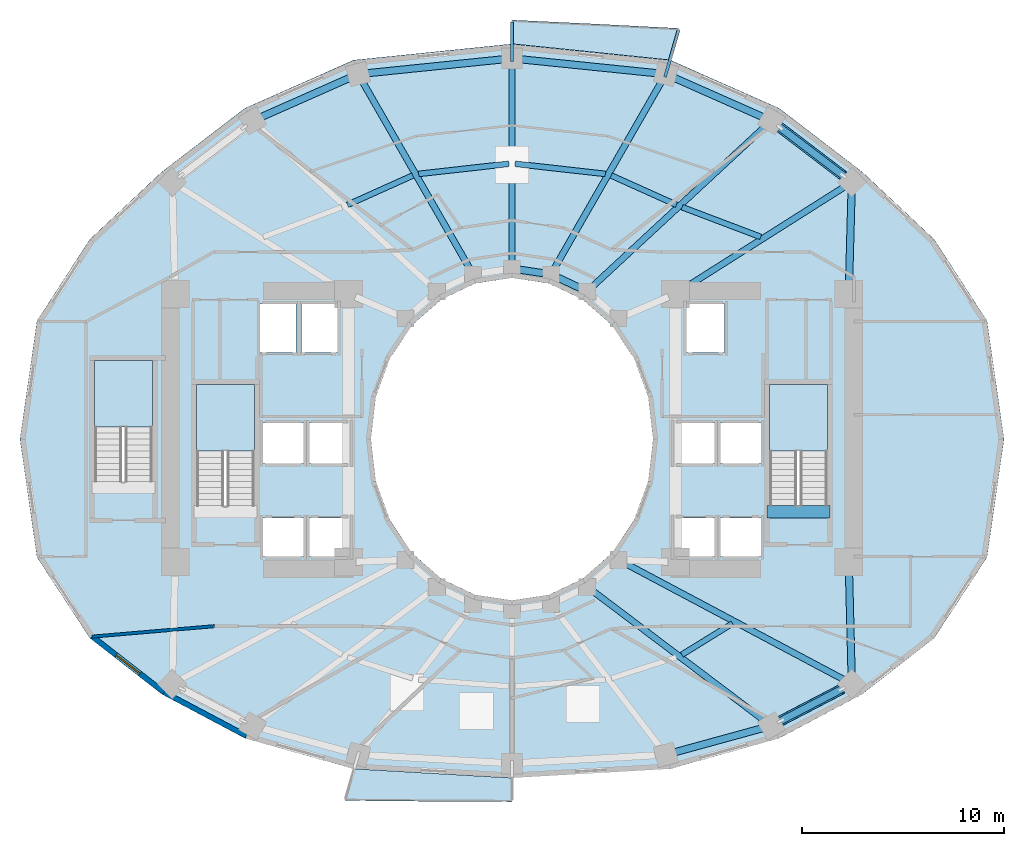
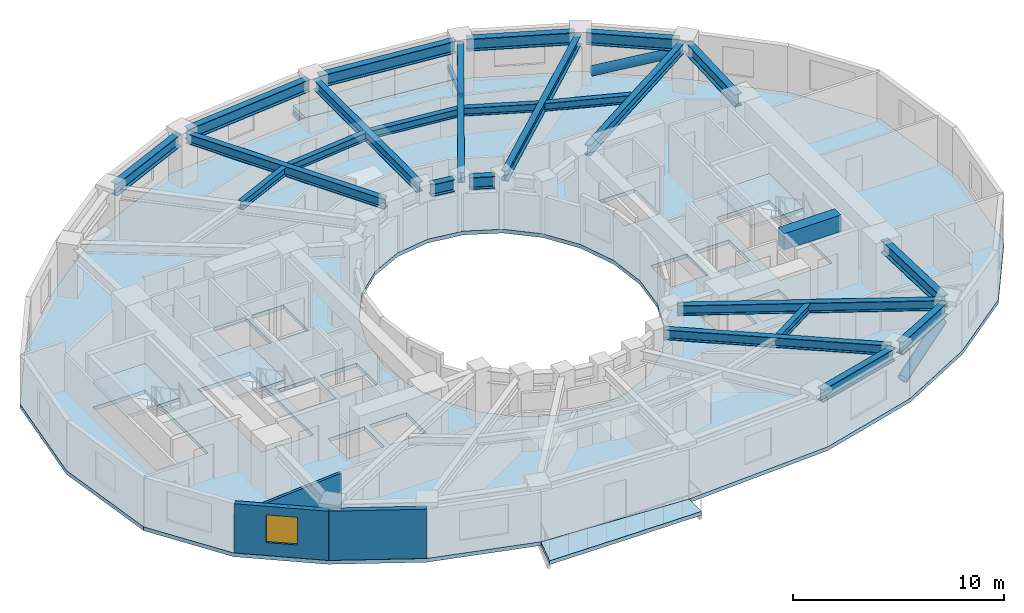
# One storey, part 2 of 9: 27 beams, 6 slabs, 3 walls, 2 members, 1 window, 1 opening, 3 elements without a shape of their own.
"""IFC4 building model written with IfcOpenShell, lengths in metres."""

from ifc_helpers import new_model, si_unit, direction, frame, frame_2d, origin, origin_2d, place, context, subcontext, project, spatial, polyline, rectangle, hollow_rectangle, hollow_circle, i_section, outline, extrude, material, layer, layer_set, material_profile, profile_set, type_object, element, fill, aggregate, save


model = new_model("IFC4")

# Units and contexts
model_context = context("Model", 3, precision=1e-05, world=origin(), true_north=direction((0.0, 1.0)))
body_context = subcontext(model_context, "Body", "Model", "MODEL_VIEW")
ifc_project = project(units=[si_unit("LENGTHUNIT", "METRE"), si_unit("AREAUNIT", "SQUARE_METRE"), si_unit("VOLUMEUNIT", "CUBIC_METRE"), si_unit("PLANEANGLEUNIT", "RADIAN"), si_unit("MASSUNIT", "GRAM", prefix="KILO")], contexts=[model_context])

# Site, building, storey
site_placement = place(None, origin())
site = spatial("IfcSite", under=ifc_project, at=site_placement, CompositionType="ELEMENT")
building_placement = place(site_placement, origin())
building = spatial("IfcBuilding", under=site, at=building_placement, Name="Solvane Sanctuary Tower", CompositionType="ELEMENT")
storey_placement = place(building_placement, frame((0.0, 0.0, 79.39990234375)))
storey = spatial("IfcBuildingStorey", under=building, at=storey_placement, Name="L23", CompositionType="ELEMENT", Elevation=79.39990234375)

# Beams
ifc_material_1 = material(Name="Steel ASTM A500 Grade C", Category="steel")
ifc_material_profile_1 = material_profile(ifc_material_1, hollow_rectangle(XDim=0.14990234375, YDim=0.300048828125, WallThickness=0.010009765625, at=origin_2d()), Name="HSS300X150X10")
ifc_profile_set_1 = profile_set([ifc_material_profile_1], Name="Steel ASTM A500 Grade C")
beam_type_1 = type_object("IfcBeamType", Name="Beam B-BALC-BRK HSS300X150X10", PredefinedType="BEAM", material=ifc_profile_set_1)
beam_1_placement = place(storey_placement, frame((39.587890625, 40.955810546875, -0.371826171875), z_axis=(0.276776573978, 0.960934299574, 0.0), x_axis=(-0.960934299574, 0.276776573978, 0.0)))
element("IfcBeam", 1, at=beam_1_placement, inside=storey, type_object=beam_type_1, Name="L23 Balcony Bracket NC-1", PredefinedType="BEAM", context=body_context, shape_type="SweptSolid", body=[
    extrude(hollow_rectangle(XDim=0.14990234375, YDim=0.300048828125, WallThickness=0.010009765625, at=origin_2d()), origin(), (0.0, 0.0, 1.0), 2.4150390625),
])
beam_2_placement = place(storey_placement, frame((32.0, 41.72998046875, -0.371826171875), z_axis=(0.0, 1.0, 0.0), x_axis=(-1.0, 0.0, 0.0)))
element("IfcBeam", 2, at=beam_2_placement, inside=storey, type_object=beam_type_1, Name="L23 Balcony Bracket NC-2", PredefinedType="BEAM", context=body_context, shape_type="SweptSolid", body=[
    extrude(hollow_rectangle(XDim=0.14990234375, YDim=0.300048828125, WallThickness=0.010009765625, at=origin_2d()), origin(), (0.0, 0.0, 1.0), 1.95556640625),
])
ifc_material_2 = material(Name="Concrete C70/85", Category="concrete")
ifc_material_profile_2 = material_profile(ifc_material_2, rectangle(XDim=0.60009765625, YDim=0.949951171875, at=origin_2d()), Name="RC600X950")
ifc_profile_set_2 = profile_set([ifc_material_profile_2], Name="Concrete C70/85")
beam_type_2 = type_object("IfcBeamType", Name="Beam B-COUPLE RC600X950", PredefinedType="LINTEL", material=ifc_profile_set_2)
beam_3_placement = place(storey_placement, frame((44.64990234375, 19.399169921875, 2.625), z_axis=(1.0, 0.0, 0.0), x_axis=(0.0, 1.0, 0.0)))
element("IfcBeam", 3, at=beam_3_placement, inside=storey, type_object=beam_type_2, Name="L23 ST-2 Stair Floor Landing Trimmer", PredefinedType="LINTEL", context=body_context, shape_type="SweptSolid", body=[
    extrude(rectangle(XDim=0.60009765625, YDim=0.949951171875, at=origin_2d()), origin(), (0.0, 0.0, 1.0), 3.1201171875),
])
ifc_material_3 = material(Name="Steel ASTM A992 Grade 50", Category="steel")
ifc_material_profile_3 = material_profile(ifc_material_3, i_section(OverallWidth=0.31494140625, OverallDepth=0.575927734375, WebThickness=0.01513671875, FlangeThickness=0.0244140625, FilletRadius=0.014892578125, at=origin_2d()), Name="W21X122")
ifc_profile_set_3 = profile_set([ifc_material_profile_3], Name="Steel ASTM A992 Grade 50")
beam_type_3 = type_object("IfcBeamType", Name="Beam B-RAD-Z2 W21X122", PredefinedType="BEAM", material=ifc_profile_set_3)
beam_4_placement = place(storey_placement, frame((40.404052734375, 30.392578125, 2.590087890625), z_axis=(0.844853889678, 0.534997107558, 0.0), x_axis=(-0.534997107558, 0.844853889678, 0.0)))
element("IfcBeam", 4, at=beam_4_placement, inside=storey, type_object=beam_type_3, Name="L23 Radial Composite Floor Beam 01", PredefinedType="BEAM", context=body_context, shape_type="SweptSolid", body=[
    extrude(i_section(OverallWidth=0.31494140625, OverallDepth=0.575927734375, WebThickness=0.01513671875, FlangeThickness=0.0244140625, FilletRadius=0.014892578125, at=origin_2d()), origin(), (0.0, 0.0, 1.0), 9.720458984375),
])
beam_5_placement = place(storey_placement, frame((35.935302734375, 30.516845703125, 2.590087890625), z_axis=(0.733453775248, 0.679739332078, 0.0), x_axis=(-0.679739332078, 0.733453775248, 0.0)))
element("IfcBeam", 5, at=beam_5_placement, inside=storey, type_object=beam_type_3, Name="L23 Radial Composite Floor Beam 02", PredefinedType="BEAM", context=body_context, shape_type="SweptSolid", body=[
    extrude(i_section(OverallWidth=0.31494140625, OverallDepth=0.575927734375, WebThickness=0.01513671875, FlangeThickness=0.0244140625, FilletRadius=0.014892578125, at=origin_2d()), origin(), (0.0, 0.0, 1.0), 11.885498046875),
])
beam_6_placement = place(storey_placement, frame((34.0703125, 31.41455078125, 2.590087890625), z_axis=(0.497792245326, 0.8672963049, 0.0), x_axis=(-0.8672963049, 0.497792245326, 0.0)))
element("IfcBeam", 6, at=beam_6_placement, inside=storey, type_object=beam_type_3, Name="L23 Radial Composite Floor Beam 03", PredefinedType="BEAM", context=body_context, shape_type="SweptSolid", body=[
    extrude(i_section(OverallWidth=0.31494140625, OverallDepth=0.575927734375, WebThickness=0.01513671875, FlangeThickness=0.0244140625, FilletRadius=0.014892578125, at=origin_2d()), origin(), (0.0, 0.0, 1.0), 10.887451171875),
])
beam_7_placement = place(storey_placement, frame((32.0, 31.739990234375, 2.590087890625), z_axis=(0.0, 1.0, 0.0), x_axis=(-1.0, 0.0, 0.0)))
element("IfcBeam", 7, at=beam_7_placement, inside=storey, type_object=beam_type_3, Name="L23 Radial Composite Floor Beam 04", PredefinedType="BEAM", context=body_context, shape_type="SweptSolid", body=[
    extrude(i_section(OverallWidth=0.31494140625, OverallDepth=0.575927734375, WebThickness=0.01513671875, FlangeThickness=0.0244140625, FilletRadius=0.014892578125, at=origin_2d()), origin(), (0.0, 0.0, 1.0), 9.860107421875),
])
beam_8_placement = place(storey_placement, frame((29.9296875, 31.41455078125, 2.590087890625), z_axis=(-0.497792245326, 0.8672963049, 0.0), x_axis=(-0.8672963049, -0.497792245326, 0.0)))
element("IfcBeam", 8, at=beam_8_placement, inside=storey, type_object=beam_type_3, Name="L23 Radial Composite Floor Beam 05", PredefinedType="BEAM", context=body_context, shape_type="SweptSolid", body=[
    extrude(i_section(OverallWidth=0.31494140625, OverallDepth=0.575927734375, WebThickness=0.01513671875, FlangeThickness=0.0244140625, FilletRadius=0.014892578125, at=origin_2d()), origin(), (0.0, 0.0, 1.0), 10.887451171875),
])
beam_9_placement = place(storey_placement, frame((35.95361328125, 15.504638671875, 2.590087890625), z_axis=(0.798116040134, -0.602503764703, 0.0), x_axis=(0.602503764703, 0.798116040134, 0.0)))
element("IfcBeam", 9, at=beam_9_placement, inside=storey, type_object=beam_type_3, Name="L23 Radial Composite Floor Beam 13", PredefinedType="BEAM", context=body_context, shape_type="SweptSolid", body=[
    extrude(i_section(OverallWidth=0.31494140625, OverallDepth=0.575927734375, WebThickness=0.01513671875, FlangeThickness=0.0244140625, FilletRadius=0.014892578125, at=origin_2d()), origin(), (0.0, 0.0, 1.0), 10.876953125),
])
beam_10_placement = place(storey_placement, frame((37.522216796875, 16.886474609375, 2.590087890625), z_axis=(0.882951984843, -0.469463302572, 0.0), x_axis=(0.469463302572, 0.882951984843, 0.0)))
element("IfcBeam", 10, at=beam_10_placement, inside=storey, type_object=beam_type_3, Name="L23 Radial Composite Floor Beam 14", PredefinedType="BEAM", context=body_context, shape_type="SweptSolid", body=[
    extrude(i_section(OverallWidth=0.31494140625, OverallDepth=0.575927734375, WebThickness=0.01513671875, FlangeThickness=0.0244140625, FilletRadius=0.014892578125, at=origin_2d()), origin(), (0.0, 0.0, 1.0), 12.552734375),
])
ifc_material_profile_4 = material_profile(ifc_material_3, i_section(OverallWidth=0.35498046875, OverallDepth=0.695068359375, WebThickness=0.015380859375, FlangeThickness=0.02490234375, FilletRadius=0.01806640625, at=origin_2d()), Name="W27X146")
ifc_profile_set_4 = profile_set([ifc_material_profile_4], Name="Steel ASTM A992 Grade 50")
beam_type_4 = type_object("IfcBeamType", Name="Beam B-RING-IN1 W27X146", PredefinedType="BEAM", material=ifc_profile_set_4)
beam_11_placement = place(storey_placement, frame((32.390625, 31.401611328125, 2.530517578125), z_axis=(0.989034751611, -0.147682971619, 0.0), x_axis=(0.147682971619, 0.989034751611, 0.0)))
element("IfcBeam", 11, at=beam_11_placement, inside=storey, type_object=beam_type_4, Name="L23 Inner Light-Well Ring Beam IC04-IC03", PredefinedType="BEAM", context=body_context, shape_type="SweptSolid", body=[
    extrude(i_section(OverallWidth=0.35498046875, OverallDepth=0.695068359375, WebThickness=0.015380859375, FlangeThickness=0.02490234375, FilletRadius=0.01806640625, at=origin_2d()), origin(), (0.0, 0.0, 1.0), 1.162109375),
])
beam_12_placement = place(storey_placement, frame((34.288330078125, 31.00390625, 2.530517578125), z_axis=(0.905044882818, -0.425316070804, 0.0), x_axis=(0.425316070804, 0.905044882818, 0.0)))
element("IfcBeam", 12, at=beam_12_placement, inside=storey, type_object=beam_type_4, Name="L23 Inner Light-Well Ring Beam IC03-IC02", PredefinedType="BEAM", context=body_context, shape_type="SweptSolid", body=[
    extrude(i_section(OverallWidth=0.35498046875, OverallDepth=0.695068359375, WebThickness=0.015380859375, FlangeThickness=0.02490234375, FilletRadius=0.01806640625, at=origin_2d()), origin(), (0.0, 0.0, 1.0), 1.197998046875),
])
ifc_material_profile_5 = material_profile(ifc_material_3, i_section(OverallWidth=0.280029296875, OverallDepth=0.462890625, WebThickness=0.0107421875, FlangeThickness=0.017333984375, FilletRadius=0.013916015625, at=origin_2d()), Name="W18X76")
ifc_profile_set_5 = profile_set([ifc_material_profile_5], Name="Steel ASTM A992 Grade 50")
beam_type_5 = type_object("IfcBeamType", Name="Beam B-SEC-JOIST W18X76", PredefinedType="JOIST", material=ifc_profile_set_5)
beam_13_placement = place(storey_placement, frame((23.844970703125, 34.618896484375, 2.646484375), z_axis=(0.912083673068, 0.410004113787, 0.0), x_axis=(-0.410004113787, 0.912083673068, 0.0)))
element("IfcBeam", 13, at=beam_13_placement, inside=storey, type_object=beam_type_5, Name="L23 Secondary Circumferential Joist 06-05", PredefinedType="JOIST", context=body_context, shape_type="SweptSolid", body=[
    extrude(i_section(OverallWidth=0.280029296875, OverallDepth=0.462890625, WebThickness=0.0107421875, FlangeThickness=0.017333984375, FilletRadius=0.013916015625, at=origin_2d()), origin(), (0.0, 0.0, 1.0), 3.5478515625),
])
for number, where, z_axis, x_axis, name in (
    (14, (27.37158203125, 36.15283203125, 2.646484375), (0.993814804173, 0.111050146357, 0.0), (-0.111050146357, 0.993814804173, 0.0), "L23 Secondary Circumferential Joist 05-04"),
    (15, (32.151611328125, 36.653076171875, 2.646484375), (0.993814804173, -0.111050146357, 0.0), (0.111050146357, 0.993814804173, 0.0), "L23 Secondary Circumferential Joist 04-03"),
):
    element("IfcBeam", number, at=place(storey_placement, frame(where, z_axis=z_axis, x_axis=x_axis)), inside=storey, type_object=beam_type_5, Name=name, PredefinedType="JOIST", context=body_context, shape_type="SweptSolid", body=[
        extrude(i_section(OverallWidth=0.280029296875, OverallDepth=0.462890625, WebThickness=0.0107421875, FlangeThickness=0.017333984375, FilletRadius=0.013916015625, at=origin_2d()), origin(), (0.0, 0.0, 1.0), 4.504638671875),
    ])
beam_14_placement = place(storey_placement, frame((36.919189453125, 36.073486328125, 2.646484375), z_axis=(0.912083673068, -0.410004113787, 0.0), x_axis=(0.410004113787, 0.912083673068, 0.0)))
element("IfcBeam", 16, at=beam_14_placement, inside=storey, type_object=beam_type_5, Name="L23 Secondary Circumferential Joist 03-02", PredefinedType="JOIST", context=body_context, shape_type="SweptSolid", body=[
    extrude(i_section(OverallWidth=0.280029296875, OverallDepth=0.462890625, WebThickness=0.0107421875, FlangeThickness=0.017333984375, FilletRadius=0.013916015625, at=origin_2d()), origin(), (0.0, 0.0, 1.0), 3.5478515625),
])
beam_15_placement = place(storey_placement, frame((40.436767578125, 34.50244140625, 2.646484375), z_axis=(0.93509327646, -0.354401699091, 0.0), x_axis=(0.354401699091, 0.93509327646, 0.0)))
element("IfcBeam", 17, at=beam_15_placement, inside=storey, type_object=beam_type_5, Name="L23 Secondary Circumferential Joist 02-01", PredefinedType="JOIST", context=body_context, shape_type="SweptSolid", body=[
    extrude(i_section(OverallWidth=0.280029296875, OverallDepth=0.462890625, WebThickness=0.0107421875, FlangeThickness=0.017333984375, FilletRadius=0.013916015625, at=origin_2d()), origin(), (0.0, 0.0, 1.0), 4.167724609375),
])
beam_16_placement = place(storey_placement, frame((40.423828125, 12.30810546875, 2.646484375), z_axis=(0.85065981691, 0.525716535687, 0.0), x_axis=(-0.525716535687, 0.85065981691, 0.0)))
element("IfcBeam", 18, at=beam_16_placement, inside=storey, type_object=beam_type_5, Name="L23 Secondary Circumferential Joist 13-14", PredefinedType="JOIST", context=body_context, shape_type="SweptSolid", body=[
    extrude(i_section(OverallWidth=0.280029296875, OverallDepth=0.462890625, WebThickness=0.0107421875, FlangeThickness=0.017333984375, FilletRadius=0.013916015625, at=origin_2d()), origin(), (0.0, 0.0, 1.0), 2.951171875),
])
ifc_material_profile_6 = material_profile(ifc_material_3, i_section(OverallWidth=0.35791015625, OverallDepth=0.7060546875, WebThickness=0.018310546875, FlangeThickness=0.0302734375, FilletRadius=0.01806640625, at=origin_2d()), Name="W27X178")
ifc_profile_set_6 = profile_set([ifc_material_profile_6], Name="Steel ASTM A992 Grade 50")
beam_type_6 = type_object("IfcBeamType", Name="Beam B-SPAND-Z2 W27X178", PredefinedType="SPANDREL", material=ifc_profile_set_6)
beam_17_placement = place(storey_placement, frame((19.397705078125, 38.8994140625, 2.525146484375), z_axis=(0.914454505181, 0.404688717355, 0.0), x_axis=(-0.404688717355, 0.914454505181, 0.0)))
element("IfcBeam", 19, at=beam_17_placement, inside=storey, type_object=beam_type_6, Name="L23 Perimeter Spandrel Beam TC06-TC05", PredefinedType="SPANDREL", context=body_context, shape_type="SweptSolid", body=[
    extrude(i_section(OverallWidth=0.35791015625, OverallDepth=0.7060546875, WebThickness=0.018310546875, FlangeThickness=0.0302734375, FilletRadius=0.01806640625, at=origin_2d()), origin(), (0.0, 0.0, 1.0), 5.157958984375),
])
for number, where, z_axis, x_axis, name in (
    (20, (24.649169921875, 41.12841796875, 2.525146484375), (0.994813029025, 0.101720387737, 0.0), (-0.101720387737, 0.994813029025, 0.0), "L23 Perimeter Spandrel Beam TC05-TC04"),
    (21, (32.278564453125, 41.8515625, 2.525146484375), (0.994813029025, -0.101720387737, 0.0), (0.101720387737, 0.994813029025, 0.0), "L23 Perimeter Spandrel Beam TC04-TC03"),
):
    element("IfcBeam", number, at=place(storey_placement, frame(where, z_axis=z_axis, x_axis=x_axis)), inside=storey, type_object=beam_type_6, Name=name, PredefinedType="SPANDREL", context=body_context, shape_type="SweptSolid", body=[
        extrude(i_section(OverallWidth=0.35791015625, OverallDepth=0.7060546875, WebThickness=0.018310546875, FlangeThickness=0.0302734375, FilletRadius=0.01806640625, at=origin_2d()), origin(), (0.0, 0.0, 1.0), 7.109130859375),
    ])
beam_18_placement = place(storey_placement, frame((39.885498046875, 40.98681640625, 2.525146484375), z_axis=(0.914454505181, -0.404688717355, 0.0), x_axis=(0.404688717355, 0.914454505181, 0.0)))
element("IfcBeam", 22, at=beam_18_placement, inside=storey, type_object=beam_type_6, Name="L23 Perimeter Spandrel Beam TC03-TC02", PredefinedType="SPANDREL", context=body_context, shape_type="SweptSolid", body=[
    extrude(i_section(OverallWidth=0.35791015625, OverallDepth=0.7060546875, WebThickness=0.018310546875, FlangeThickness=0.0302734375, FilletRadius=0.01806640625, at=origin_2d()), origin(), (0.0, 0.0, 1.0), 5.157958984375),
])
beam_19_placement = place(storey_placement, frame((45.0810546875, 38.616455078125, 2.525146484375), z_axis=(0.795473167932, -0.605988811036, 0.0), x_axis=(0.605988811036, 0.795473167932, 0.0)))
element("IfcBeam", 23, at=beam_19_placement, inside=storey, type_object=beam_type_6, Name="L23 Perimeter Spandrel Beam TC02-TC01", PredefinedType="SPANDREL", context=body_context, shape_type="SweptSolid", body=[
    extrude(i_section(OverallWidth=0.35791015625, OverallDepth=0.7060546875, WebThickness=0.018310546875, FlangeThickness=0.0302734375, FilletRadius=0.01806640625, at=origin_2d()), origin(), (0.0, 0.0, 1.0), 4.4619140625),
])
beam_20_placement = place(storey_placement, frame((48.84521484375, 35.462890625, 2.525146484375), z_axis=(-0.027574028772, -0.999619764179, 0.0), x_axis=(0.999619764179, -0.027574028772, 0.0)))
element("IfcBeam", 24, at=beam_20_placement, inside=storey, type_object=beam_type_6, Name="L23 Perimeter Spandrel Beam TC01-CE3", PredefinedType="SPANDREL", context=body_context, shape_type="SweptSolid", body=[
    extrude(i_section(OverallWidth=0.35791015625, OverallDepth=0.7060546875, WebThickness=0.018310546875, FlangeThickness=0.0302734375, FilletRadius=0.01806640625, at=origin_2d()), origin(), (0.0, 0.0, 1.0), 4.98486328125),
])
beam_21_placement = place(storey_placement, frame((39.8994140625, 7.422119140625, 2.525146484375), z_axis=(0.964367605241, 0.26456591232, 0.0), x_axis=(-0.26456591232, 0.964367605241, 0.0)))
element("IfcBeam", 25, at=beam_21_placement, inside=storey, type_object=beam_type_6, Name="L23 Perimeter Spandrel Beam TC12-TC13", PredefinedType="SPANDREL", context=body_context, shape_type="SweptSolid", body=[
    extrude(i_section(OverallWidth=0.35791015625, OverallDepth=0.7060546875, WebThickness=0.018310546875, FlangeThickness=0.0302734375, FilletRadius=0.01806640625, at=origin_2d()), origin(), (0.0, 0.0, 1.0), 4.8623046875),
])
beam_22_placement = place(storey_placement, frame((45.106689453125, 8.911865234375, 2.525146484375), z_axis=(0.887014995188, 0.461740618002, 0.0), x_axis=(-0.461740618002, 0.887014995188, 0.0)))
element("IfcBeam", 26, at=beam_22_placement, inside=storey, type_object=beam_type_6, Name="L23 Perimeter Spandrel Beam TC13-TC14", PredefinedType="SPANDREL", context=body_context, shape_type="SweptSolid", body=[
    extrude(i_section(OverallWidth=0.35791015625, OverallDepth=0.7060546875, WebThickness=0.018310546875, FlangeThickness=0.0302734375, FilletRadius=0.01806640625, at=origin_2d()), origin(), (0.0, 0.0, 1.0), 3.943359375),
])
beam_23_placement = place(storey_placement, frame((48.845947265625, 11.141845703125, 2.525146484375), z_axis=(-0.025349487585, 0.999678650107, 0.0), x_axis=(-0.999678650107, -0.025349487585, 0.0)))
element("IfcBeam", 27, at=beam_23_placement, inside=storey, type_object=beam_type_6, Name="L23 Perimeter Spandrel Beam TC14-CE2", PredefinedType="SPANDREL", context=body_context, shape_type="SweptSolid", body=[
    extrude(i_section(OverallWidth=0.35791015625, OverallDepth=0.7060546875, WebThickness=0.018310546875, FlangeThickness=0.0302734375, FilletRadius=0.01806640625, at=origin_2d()), origin(), (0.0, 0.0, 1.0), 5.47998046875),
])

# Members
ifc_material_profile_7 = material_profile(ifc_material_3, hollow_circle(Radius=0.25390625, WallThickness=0.01611328125, at=origin_2d()), Name="CHS508X16")
ifc_profile_set_7 = profile_set([ifc_material_profile_7], Name="Steel ASTM A992 Grade 50")
member_type = type_object("IfcMemberType", Name="Member M-TUBE-Z2 CHS508X16", PredefinedType="BRACE", material=ifc_profile_set_7)
member_1_placement = place(storey_placement, frame((45.286865234375, 38.459716796875, 0.572265625), z_axis=(0.749170118041, -0.570768517947, 0.336106282529), x_axis=(0.606024564443, 0.795445929836, 0.0)))
element("IfcMember", 28, at=member_1_placement, inside=storey, type_object=member_type, Name="L23 Perimeter Braced-Tube Diagonal NE", PredefinedType="BRACE", context=body_context, shape_type="SweptSolid", body=[
    extrude(hollow_circle(Radius=0.25390625, WallThickness=0.01611328125, at=origin_2d()), origin(), (0.0, 0.0, 1.0), 4.1875),
])
member_2_placement = place(storey_placement, frame((45.332763671875, 9.029296875, 0.593017578125), z_axis=(0.824140553465, 0.429072126665, 0.369715374651), x_axis=(-0.461792399626, 0.886988038052, 0.0)))
element("IfcMember", 29, at=member_2_placement, inside=storey, type_object=member_type, Name="L23 Perimeter Braced-Tube Diagonal SE", PredefinedType="BRACE", context=body_context, shape_type="SweptSolid", body=[
    extrude(hollow_circle(Radius=0.25390625, WallThickness=0.01611328125, at=origin_2d()), origin(), (0.0, 0.0, 1.0), 3.6689453125),
])

# Slabs
ifc_material_4 = material(Name="Precast concrete C40/50", Category="concrete")
ifc_layer_1 = layer(ifc_material_4, 0.219970703125, Name="Precast concrete C40/50")
ifc_layer_set_1 = layer_set([ifc_layer_1], Name="Precast concrete C40/50")
slab_type_1 = type_object("IfcSlabType", Name="Slab SL-BALC-200", PredefinedType="FLOOR", material=ifc_layer_set_1)
slab_1_placement = place(storey_placement, frame((0.0, 0.0, -0.219970703125)))
element("IfcSlab", 30, at=slab_1_placement, inside=storey, type_object=slab_type_1, Name="L23 Wave Balcony Slab NC", PredefinedType="FLOOR", context=body_context, shape_type="SweptSolid", body=[
    extrude(outline(polyline([(40.2841796875, 43.37255859375), (36.11376953125, 43.588623046875), (32.0, 43.785400390625), (32.00048828125, 42.60400390625), (39.86181640625, 41.79931640625), (40.2841796875, 43.37255859375)])), origin(), (0.0, 0.0, 1.0), 0.219970703125),
])
slab_2_placement = place(storey_placement, frame((0.0, 0.0, -0.219970703125)))
element("IfcSlab", 31, at=slab_2_placement, inside=storey, type_object=slab_type_1, Name="L23 Wave Balcony Slab SC", PredefinedType="FLOOR", context=body_context, shape_type="SweptSolid", body=[
    extrude(outline(polyline([(23.7158203125, 5.0751953125), (27.88623046875, 5.035400390625), (32.0, 5.014404296875), (31.999755859375, 6.196044921875), (24.138427734375, 6.648681640625), (23.7158203125, 5.0751953125)])), origin(), (0.0, 0.0, 1.0), 0.219970703125),
])

# Stair, slab
ifc_material_5 = material(Name="Concrete C45/55", Category="concrete")
stair_type = type_object("IfcStairType", Name="Stair ST-TOW", PredefinedType="HALF_TURN_STAIR", material=ifc_material_5)
stair_1_placement = place(storey_placement, origin())
stair_1 = element("IfcStair", 32, at=stair_1_placement, inside=storey, type_object=stair_type, Name="L23 Exit Stair ST-1 West Core", PredefinedType="HALF_TURN_STAIR")
ifc_layer_2 = layer(ifc_material_5, 0.199951171875, Name="Concrete C45/55")
ifc_layer_set_2 = layer_set([ifc_layer_2], Name="Concrete C45/55")
slab_type_2 = type_object("IfcSlabType", Name="Slab SL-LAND-180", PredefinedType="LANDING", material=ifc_layer_set_2)
slab_3_placement = place(storey_placement, frame((0.0, 0.0, 1.35009765625)))
slab_3 = element("IfcSlab", 33, at=slab_3_placement, type_object=slab_type_2, Name="ST-1 landing 1", PredefinedType="LANDING", context=body_context, shape_type="SweptSolid", body=[
    extrude(outline(polyline([(19.219970703125, 22.39990234375), (19.219970703125, 25.699951171875), (16.360107421875, 25.699951171875), (16.360107421875, 22.39990234375), (19.219970703125, 22.39990234375)])), origin(), (0.0, 0.0, 1.0), 0.199951171875),
])
aggregate(stair_1, [slab_3])

stair_2_placement = place(storey_placement, origin())
stair_2 = element("IfcStair", 34, at=stair_2_placement, inside=storey, type_object=stair_type, Name="L23 Exit Stair ST-2 East Core", PredefinedType="HALF_TURN_STAIR")
slab_4_placement = place(storey_placement, frame((0.0, 0.0, 1.35009765625)))
slab_4 = element("IfcSlab", 35, at=slab_4_placement, type_object=slab_type_2, Name="ST-2 landing 1", PredefinedType="LANDING", context=body_context, shape_type="SweptSolid", body=[
    extrude(outline(polyline([(47.639892578125, 22.39990234375), (47.639892578125, 25.699951171875), (44.780029296875, 25.699951171875), (44.780029296875, 22.39990234375), (47.639892578125, 22.39990234375)])), origin(), (0.0, 0.0, 1.0), 0.199951171875),
])
aggregate(stair_2, [slab_4])

stair_3_placement = place(storey_placement, origin())
stair_3 = element("IfcStair", 36, at=stair_3_placement, inside=storey, type_object=stair_type, Name="L23 Exit Stair ST-3 Pilgrim Tower Stair", PredefinedType="HALF_TURN_STAIR")
slab_5_placement = place(storey_placement, frame((0.0, 0.0, 1.35009765625)))
slab_5 = element("IfcSlab", 37, at=slab_5_placement, type_object=slab_type_2, Name="ST-3 landing 1", PredefinedType="LANDING", context=body_context, shape_type="SweptSolid", body=[
    extrude(outline(polyline([(14.159912109375, 23.60009765625), (14.159912109375, 26.89990234375), (11.300048828125, 26.89990234375), (11.300048828125, 23.60009765625), (14.159912109375, 23.60009765625)])), origin(), (0.0, 0.0, 1.0), 0.199951171875),
])
aggregate(stair_3, [slab_5])

# Slab
ifc_layer_3 = layer(ifc_material_5, 0.219970703125, Name="Concrete C45/55")
ifc_layer_set_3 = layer_set([ifc_layer_3], Name="Concrete C45/55")
slab_type_3 = type_object("IfcSlabType", Name="Slab SL-TOW-220", PredefinedType="FLOOR", material=ifc_layer_set_3)
slab_6_placement = place(storey_placement, frame((0.0, 0.0, -0.219970703125)))
element("IfcSlab", 38, at=slab_6_placement, inside=storey, type_object=slab_type_3, Name="L23 Primary Structural Slab", PredefinedType="FLOOR", context=body_context, shape_type="SweptSolid", body=[
    extrude(outline(polyline([(56.39990234375, 23.0), (55.556884765625, 28.86376953125), (52.94091796875, 32.903076171875), (49.365478515625, 36.255126953125), (45.249267578125, 39.404296875), (39.861328125, 41.795166015625), (32.0, 42.60009765625), (24.138671875, 41.795166015625), (18.750732421875, 39.404296875), (14.634521484375, 36.255126953125), (11.05908203125, 32.903076171875), (8.443115234375, 28.86376953125), (7.60009765625, 23.0), (8.443115234375, 17.13623046875), (11.05908203125, 13.1376953125), (14.634521484375, 10.349609375), (18.750732421875, 8.16455078125), (24.138671875, 6.652587890625), (32.0, 6.199951171875), (39.861328125, 6.652587890625), (45.249267578125, 8.16455078125), (49.365478515625, 10.349609375), (52.94091796875, 13.1376953125), (55.556884765625, 17.13623046875), (56.39990234375, 23.0)]), holes=[polyline([(38.761474609375, 20.929443359375), (38.062255859375, 19.0), (36.94970703125, 17.343017578125), (35.5, 16.07177734375), (33.811767578125, 15.272705078125), (32.0, 15.0), (30.188232421875, 15.272705078125), (28.5, 16.07177734375), (27.05029296875, 17.343017578125), (25.937744140625, 19.0), (25.238525390625, 20.929443359375), (25.0, 23.0), (25.238525390625, 25.070556640625), (25.937744140625, 27.0), (27.05029296875, 28.656982421875), (28.5, 29.92822265625), (30.188232421875, 30.727294921875), (32.0, 31.0), (33.811767578125, 30.727294921875), (35.5, 29.92822265625), (36.94970703125, 28.656982421875), (38.062255859375, 27.0), (38.761474609375, 25.070556640625), (39.0, 23.0), (38.761474609375, 20.929443359375)]), polyline([(16.360107421875, 19.699951171875), (16.360107421875, 25.699951171875), (19.219970703125, 25.699951171875), (19.219970703125, 19.699951171875), (16.360107421875, 19.699951171875)]), polyline([(44.780029296875, 19.699951171875), (44.780029296875, 25.699951171875), (47.639892578125, 25.699951171875), (47.639892578125, 19.699951171875), (44.780029296875, 19.699951171875)]), polyline([(11.300048828125, 20.89990234375), (11.300048828125, 26.89990234375), (14.159912109375, 26.89990234375), (14.159912109375, 20.89990234375), (11.300048828125, 20.89990234375)]), polyline([(19.64990234375, 19.080078125), (21.64990234375, 19.080078125), (21.64990234375, 17.179931640625), (19.64990234375, 17.179931640625), (19.64990234375, 19.080078125)]), polyline([(21.949951171875, 19.080078125), (23.949951171875, 19.080078125), (23.949951171875, 17.179931640625), (21.949951171875, 17.179931640625), (21.949951171875, 19.080078125)]), polyline([(40.050048828125, 19.080078125), (42.050048828125, 19.080078125), (42.050048828125, 17.179931640625), (40.050048828125, 17.179931640625), (40.050048828125, 19.080078125)]), polyline([(42.35009765625, 19.080078125), (44.35009765625, 19.080078125), (44.35009765625, 17.179931640625), (42.35009765625, 17.179931640625), (42.35009765625, 19.080078125)]), polyline([(19.64990234375, 23.800048828125), (21.64990234375, 23.800048828125), (21.64990234375, 21.800048828125), (19.64990234375, 21.800048828125), (19.64990234375, 23.800048828125)]), polyline([(42.35009765625, 23.800048828125), (44.35009765625, 23.800048828125), (44.35009765625, 21.800048828125), (42.35009765625, 21.800048828125), (42.35009765625, 23.800048828125)]), polyline([(21.949951171875, 23.800048828125), (23.949951171875, 23.800048828125), (23.949951171875, 21.800048828125), (21.949951171875, 21.800048828125), (21.949951171875, 23.800048828125)]), polyline([(40.050048828125, 23.800048828125), (42.050048828125, 23.800048828125), (42.050048828125, 21.800048828125), (40.050048828125, 21.800048828125), (40.050048828125, 23.800048828125)]), polyline([(19.5, 29.699951171875), (21.300048828125, 29.699951171875), (21.300048828125, 27.300048828125), (19.5, 27.300048828125), (19.5, 29.699951171875)]), polyline([(21.550048828125, 29.699951171875), (23.35009765625, 29.699951171875), (23.35009765625, 27.300048828125), (21.550048828125, 27.300048828125), (21.550048828125, 29.699951171875)]), polyline([(40.64990234375, 29.699951171875), (42.550048828125, 29.699951171875), (42.550048828125, 27.300048828125), (40.64990234375, 27.300048828125), (40.64990234375, 29.699951171875)])]), origin(), (0.0, 0.0, 1.0), 0.219970703125),
])

# Wall
ifc_material_6 = material(Name="Acoustic Gypsum Partition Board")
ifc_layer_4 = layer(ifc_material_6, 0.14990234375, Name="Acoustic Gypsum Partition Board")
ifc_layer_set_4 = layer_set([ifc_layer_4], Name="Acoustic Gypsum Partition Board")
wall_type_1 = type_object("IfcWallType", Name="Wall W-CORR-150", PredefinedType="PARTITIONING", material=ifc_layer_set_4)
wall_1_placement = place(storey_placement, frame((17.249755859375, 13.724365234375, 0.0), z_axis=(0.0, 0.0, 1.0), x_axis=(-0.996341886029, -0.085456691633, 0.0)))
element("IfcWall", 39, at=wall_1_placement, inside=storey, type_object=wall_type_1, Name="L23 SW Corner Wing Wall", PredefinedType="PARTITIONING", context=body_context, shape_type="SweptSolid", body=[
    extrude(rectangle(XDim=6.108154296875, YDim=0.14990234375, at=frame_2d((3.05419921875, 0.0))), origin(), (0.0, 0.0, 1.0), 2.14208984375),
])

# Wall, opening, window
ifc_layer_5 = layer(ifc_material_4, 0.260009765625, Name="Precast concrete C40/50")
ifc_layer_set_5 = layer_set([ifc_layer_5], Name="Precast concrete C40/50")
wall_type_2 = type_object("IfcWallType", Name="Wall W-EXT-250", PredefinedType="STANDARD", material=ifc_layer_set_5)
wall_2_placement = place(storey_placement, frame((11.179443359375, 13.213623046875, 0.0), z_axis=(0.0, 0.0, 1.0), x_axis=(0.789127449954, -0.614229491094, 0.0)))
wall_2 = element("IfcWall", 40, at=wall_2_placement, inside=storey, type_object=wall_type_2, Name="L23 Ceramic-Printed Facade Wall 14", PredefinedType="STANDARD", context=body_context, shape_type="SweptSolid", body=[
    extrude(rectangle(XDim=4.504638671875, YDim=0.260009765625, at=frame_2d((2.25244140625, 0.0))), origin(), (0.0, 0.0, 1.0), 2.85009765625),
])
opening_placement = place(wall_2_placement, frame((1.502197265625, 0.0, 0.75)))
opening = element("IfcOpeningElement", 41, at=opening_placement, cuts=wall_2, Name="Opening WN-OPER-1500", PredefinedType="OPENING", context=body_context, shape_type="SweptSolid", body=[
    extrude(rectangle(XDim=1.5, YDim=1.60009765625, at=frame_2d((0.75, 0.800048828125))), frame((0.0, 0.139892578125, 0.0), z_axis=(0.0, -1.0, 0.0), x_axis=(1.0, 0.0, 0.0)), (0.0, 0.0, 1.0), 0.280029296875),
])
ifc_material_7 = material(Name="Dark Ceramic-Fritted Low-E Glass", Category="glass")
window_type = type_object("IfcWindowType", Name="Window WN-OPER-1500", PartitioningType="SINGLE_PANEL", PredefinedType="WINDOW", material=ifc_material_7)
window_placement = place(opening_placement, origin())
window = element("IfcWindow", 42, at=window_placement, inside=storey, type_object=window_type, Name="L23 Operable Facade Window 14", OverallHeight=1.60009765625, OverallWidth=1.5, PartitioningType="SINGLE_PANEL", PredefinedType="WINDOW", context=body_context, shape_type="SweptSolid", body=[
    extrude(rectangle(XDim=1.5, YDim=1.60009765625, at=frame_2d((0.75, 0.800048828125))), frame((0.0, 0.030029296875, 0.0), z_axis=(0.0, -1.0, 0.0), x_axis=(1.0, 0.0, 0.0)), (0.0, 0.0, 1.0), 0.06005859375),
])
fill(opening, window)

# Wall
wall_3_placement = place(storey_placement, frame((14.734130859375, 10.44677734375, 0.0), z_axis=(0.0, 0.0, 1.0), x_axis=(0.883668636807, -0.4681129568, 0.0)))
element("IfcWall", 43, at=wall_3_placement, inside=storey, type_object=wall_type_2, Name="L23 Ceramic-Printed Facade Wall 15", PredefinedType="STANDARD", context=body_context, shape_type="SweptSolid", body=[
    extrude(rectangle(XDim=4.63134765625, YDim=0.260009765625, at=frame_2d((2.315673828125, 0.0))), origin(), (0.0, 0.0, 1.0), 2.85009765625),
])

save(model, "model.ifc")
